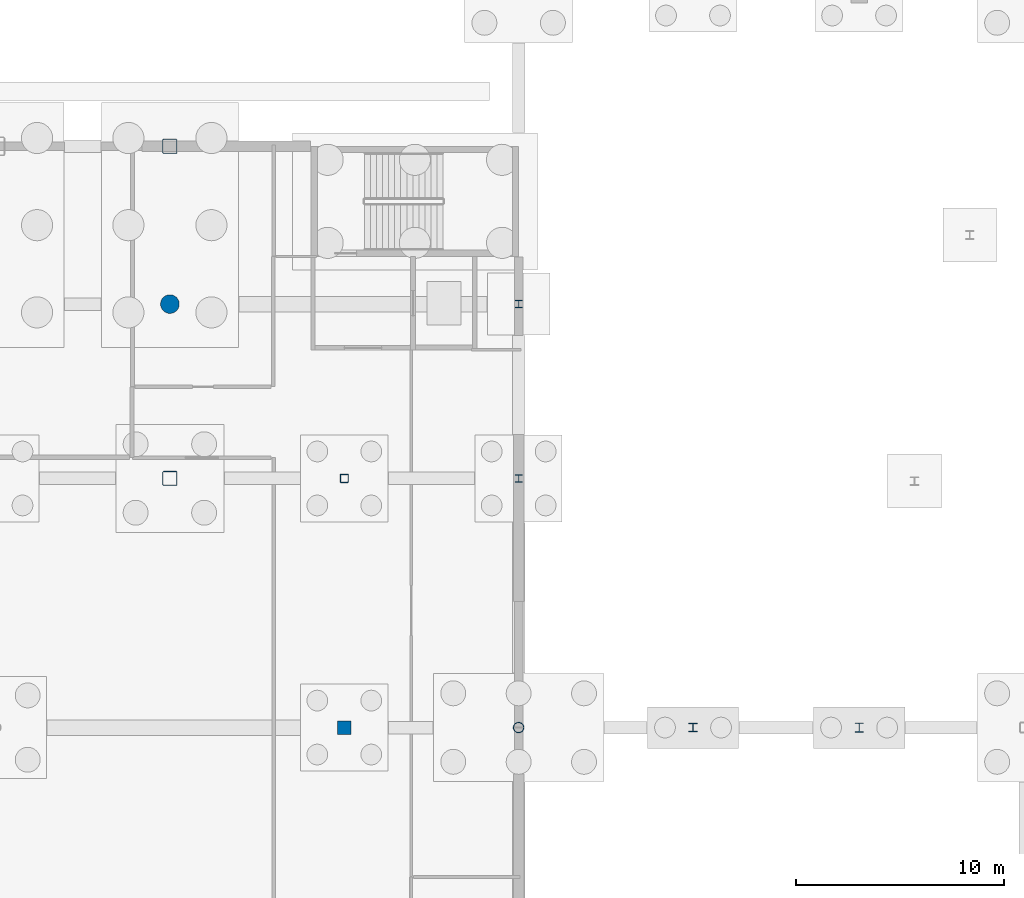
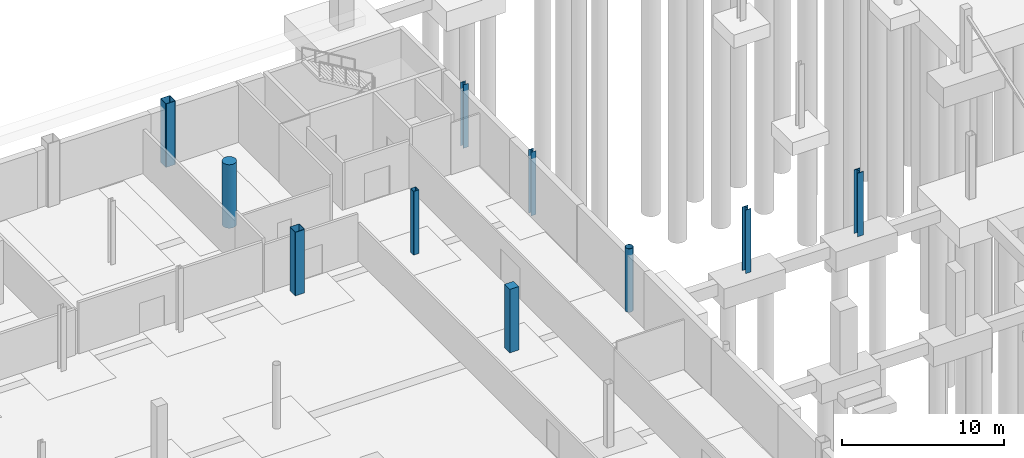
# One storey, part 14 of 34: 10 columns.
"""IFC4 building model written with IfcOpenShell, lengths in metres."""

import ifcopenshell
import ifcopenshell.guid

model = None  # the IFC model being written
_history = None  # IfcOwnerHistory: only IFC2X3 demands one
_inside = {}  # id of a spatial element -> (the spatial element, [elements in it])
_under = {}  # id of a project, library or spatial element -> (it, [spatial elements below it])
_declared = {}  # id of a project -> (the project, [libraries it declares])
_typed = {}  # id of a type object -> (the type object, [elements of that type])
_made_of = {}  # id of a material, layer set ... -> (it, [elements and type objects made of it])


def new_model(schema):
    """Start an empty IFC model of exactly this schema.

    Asked for "IFC4X3", IfcOpenShell would pick the latest addendum, in which some entities
    have other attributes; the version numbers below select the first issue.
    IFC2X3 requires an IfcOwnerHistory on every rooted entity: one is made here for all.
    """
    global model, _history
    if schema == "IFC4X3":
        model = ifcopenshell.file(schema_version=(4, 3, 0, 0))
    else:
        model = ifcopenshell.file(schema=schema)
    _inside.clear()
    _under.clear()
    _declared.clear()
    _typed.clear()
    _made_of.clear()
    _history = None
    if model.schema == "IFC2X3":
        org = make("IfcOrganization", Name="unknown")
        user = make(
            "IfcPersonAndOrganization",
            ThePerson=make("IfcPerson", FamilyName="unknown"),
            TheOrganization=org,
        )
        app = make(
            "IfcApplication",
            ApplicationDeveloper=org,
            Version="unknown",
            ApplicationFullName="unknown",
            ApplicationIdentifier="unknown",
        )
        _history = make(
            "IfcOwnerHistory",
            OwningUser=user,
            OwningApplication=app,
            ChangeAction="ADDED",
            CreationDate=0,
        )
    return model


def make(cls, **values):
    """One entity of the class cls with the attributes given. An attribute that is None is left unset."""
    return model.create_entity(
        cls, **{name: value for name, value in values.items() if value is not None}
    )


def rooted(cls, **values):
    """An entity with a GlobalId (a new one), such as an element, a storey or a relation."""
    return make(cls, GlobalId=ifcopenshell.guid.new(), OwnerHistory=_history, **values)


def si_unit(unit_type, name, prefix=None):
    """IfcSIUnit, for example si_unit("LENGTHUNIT", "METRE", prefix="MILLI")."""
    return make("IfcSIUnit", UnitType=unit_type, Prefix=prefix, Name=name)


def assignment(units):
    """IfcUnitAssignment: the units of a project."""
    return None if units is None else make("IfcUnitAssignment", Units=units)


def point(xyz):
    """IfcCartesianPoint."""
    return None if xyz is None else make("IfcCartesianPoint", Coordinates=xyz)


def direction(xyz):
    """IfcDirection."""
    return None if xyz is None else make("IfcDirection", DirectionRatios=xyz)


def frame(location, z_axis=None, x_axis=None):
    """IfcAxis2Placement3D, a coordinate frame: its origin and axes. An axis left out is left unset."""
    return make(
        "IfcAxis2Placement3D",
        Location=point(location),
        Axis=direction(z_axis),
        RefDirection=direction(x_axis),
    )


def frame_2d(location, x_axis=None):
    """IfcAxis2Placement2D, a coordinate frame in the plane: its origin and x axis."""
    return make(
        "IfcAxis2Placement2D", Location=point(location), RefDirection=direction(x_axis)
    )


def origin():
    """The frame at (0, 0, 0) with its axes left unset."""
    return frame((0.0, 0.0, 0.0))


def origin_2d():
    """The frame at (0, 0) in the plane with its x axis left unset."""
    return frame_2d((0.0, 0.0))


def place(relative_to, where):
    """IfcLocalPlacement: puts the frame where relative to a parent placement (None: the world)."""
    return make(
        "IfcLocalPlacement", PlacementRelTo=relative_to, RelativePlacement=where
    )


def context(
    kind, dimensions, precision=None, world=None, true_north=None, identifier=None
):
    """IfcGeometricRepresentationContext, for example the 3D "Model" context."""
    return make(
        "IfcGeometricRepresentationContext",
        ContextIdentifier=identifier,
        ContextType=kind,
        CoordinateSpaceDimension=dimensions,
        Precision=precision,
        WorldCoordinateSystem=world,
        TrueNorth=true_north,
    )


def subcontext(parent, identifier, kind, view, scale=None):
    """IfcGeometricRepresentationSubContext, for example "Body" below "Model"."""
    return make(
        "IfcGeometricRepresentationSubContext",
        ContextIdentifier=identifier,
        ContextType=kind,
        ParentContext=parent,
        TargetScale=scale,
        TargetView=view,
    )


def project(units=None, contexts=None):
    """IfcProject with its units and contexts."""
    return rooted(
        "IfcProject",
        Name="project",
        RepresentationContexts=contexts,
        UnitsInContext=assignment(units),
    )


def spatial(cls, under=None, at=None, **own):
    """A site, building, storey or space (cls), placed at a placement, below another one or the project."""
    s = rooted(cls, ObjectPlacement=at, **own)
    if under is not None:
        _under.setdefault(under.id(), (under, []))[1].append(s)
    return s


def profile(cls, at=None, kind="AREA", **sizes):
    """A parametric profile (cls). Its sizes go by their IFC names, for example OverallWidth=200.0."""
    return make(cls, ProfileType=kind, Position=at, **sizes)


def rectangle(**sizes):
    """IfcRectangleProfileDef."""
    return profile("IfcRectangleProfileDef", **sizes)


def hollow_rectangle(**sizes):
    """IfcRectangleHollowProfileDef."""
    return profile("IfcRectangleHollowProfileDef", **sizes)


def circle(**sizes):
    """IfcCircleProfileDef."""
    return profile("IfcCircleProfileDef", **sizes)


def hollow_circle(**sizes):
    """IfcCircleHollowProfileDef."""
    return profile("IfcCircleHollowProfileDef", **sizes)


def i_section(**sizes):
    """IfcIShapeProfileDef."""
    return profile("IfcIShapeProfileDef", **sizes)


def extrude(swept, where, along, depth):
    """IfcExtrudedAreaSolid: the profile swept, set in the frame where, extruded along a direction by depth."""
    return make(
        "IfcExtrudedAreaSolid",
        SweptArea=swept,
        Position=where,
        ExtrudedDirection=direction(along),
        Depth=depth,
    )


def shape(context_of_items, identifier, shape_type, items):
    """IfcShapeRepresentation: the items that make up one representation, for example the "Body"."""
    return make(
        "IfcShapeRepresentation",
        ContextOfItems=context_of_items,
        RepresentationIdentifier=identifier,
        RepresentationType=shape_type,
        Items=items,
    )


def material(Name=None, Category=None):
    """IfcMaterial."""
    return make("IfcMaterial", Name=Name, Category=Category)


def material_profile(
    of_material, cross_section, Name=None, Category=None, Priority=None
):
    """IfcMaterialProfile: a cross section and its material."""
    return make(
        "IfcMaterialProfile",
        Name=Name,
        Material=of_material,
        Profile=cross_section,
        Priority=Priority,
        Category=Category,
    )


def profile_set(profiles, Name=None, composite=None):
    """IfcMaterialProfileSet."""
    return make(
        "IfcMaterialProfileSet",
        Name=Name,
        MaterialProfiles=profiles,
        CompositeProfile=composite,
    )


def made_of(thing, what):
    """Note that an element or type object is made of a material, layer set ...; save() writes the relation."""
    if what is not None:
        _made_of.setdefault(what.id(), (what, []))[1].append(thing)
    return thing


def type_object(cls, material=None, **own):
    """A type object (cls), such as IfcWallType, which elements share."""
    return made_of(rooted(cls, **own), material)


def element(
    cls,
    number,
    at=None,
    inside=None,
    cuts=None,
    type_object=None,
    material=None,
    context=None,
    identifier="Body",
    shape_type=None,
    held_by="IfcProductDefinitionShape",
    body=None,
    shapes=None,
    **own,
):
    """One element of the class cls, such as IfcWall. Its Tag is "e" and its number.

    at: its placement. inside: the storey or other place that contains it. cuts: it is an
    opening in that element (IfcRelVoidsElement). A single representation is given by context,
    identifier, shape_type and body (its items); several are given by shapes. held_by: the class
    of the entity that holds the representations. save() writes the other relations.
    """
    e = rooted(cls, Tag="e%d" % number, ObjectPlacement=at, **own)
    if body is not None:
        shapes = [shape(context, identifier, shape_type, body)]
    if shapes is not None:
        e.Representation = make(held_by, Representations=shapes)
    if inside is not None:
        _inside.setdefault(inside.id(), (inside, []))[1].append(e)
    if cuts is not None:
        rooted(
            "IfcRelVoidsElement", RelatingBuildingElement=cuts, RelatedOpeningElement=e
        )
    if type_object is not None:
        _typed.setdefault(type_object.id(), (type_object, []))[1].append(e)
    return made_of(e, material)


def aggregate(whole, parts):
    """IfcRelAggregates: a whole, such as a stair, and the parts it consists of."""
    return rooted("IfcRelAggregates", RelatingObject=whole, RelatedObjects=parts)


def save(model, path):
    """Write the relations noted so far, then the file.

    IfcRelAggregates (storeys below a building ...), IfcRelContainedInSpatialStructure (elements
    in a storey), IfcRelDefinesByType, IfcRelAssociatesMaterial and IfcRelDeclares: one each for
    every whole, place, type object, material and project.
    """
    for whole, parts in _under.values():
        aggregate(whole, parts)
    for where, things in _inside.values():
        rooted(
            "IfcRelContainedInSpatialStructure",
            RelatedElements=things,
            RelatingStructure=where,
        )
    for kind, things in _typed.values():
        rooted("IfcRelDefinesByType", RelatedObjects=things, RelatingType=kind)
    for what, things in _made_of.values():
        rooted("IfcRelAssociatesMaterial", RelatedObjects=things, RelatingMaterial=what)
    for by, libraries in _declared.values():
        rooted("IfcRelDeclares", RelatingContext=by, RelatedDefinitions=libraries)
    model.write(path)


model = new_model("IFC4")

# Units and contexts
model_context = context("Model", 3, precision=1e-05, world=origin(), true_north=direction((0.0, 1.0)))
body_context = subcontext(model_context, "Body", "Model", "MODEL_VIEW")
ifc_project = project(units=[si_unit("LENGTHUNIT", "METRE"), si_unit("AREAUNIT", "SQUARE_METRE"), si_unit("VOLUMEUNIT", "CUBIC_METRE"), si_unit("PLANEANGLEUNIT", "RADIAN"), si_unit("MASSUNIT", "GRAM", prefix="KILO")], contexts=[model_context])

# Site, building, storey
site_placement = place(None, origin())
site = spatial("IfcSite", under=ifc_project, at=site_placement, CompositionType="ELEMENT")
building_placement = place(site_placement, origin())
building = spatial("IfcBuilding", under=site, at=building_placement, Name="Larkvane Passage Sports Hall", CompositionType="ELEMENT")
storey_placement = place(building_placement, frame((0.0, 0.0, -4.800048828125)))
storey = spatial("IfcBuildingStorey", under=building, at=storey_placement, Name="B01", CompositionType="ELEMENT", Elevation=-4.800048828125)

# Columns
ifc_material_1 = material(Name="Concrete C50/60", Category="concrete")
ifc_material_profile_1 = material_profile(ifc_material_1, circle(Radius=0.449951171875, at=origin_2d()), Name="RC-CIR-900")
ifc_profile_set_1 = profile_set([ifc_material_profile_1], Name="Concrete C50/60")
column_type_1 = type_object("IfcColumnType", Name="COL-CIR-900", PredefinedType="COLUMN", material=ifc_profile_set_1)
column_1_placement = place(storey_placement, frame((76.800048828125, 84.0, 0.0), z_axis=(0.0, 0.0, 1.0), x_axis=(1.0, 0.0, 0.0)))
element("IfcColumn", 1, at=column_1_placement, inside=storey, type_object=column_type_1, Name="Column 11/K B01", PredefinedType="COLUMN", context=body_context, shape_type="SweptSolid", body=[
    extrude(circle(Radius=0.449951171875, at=origin_2d()), origin(), (0.0, 0.0, 1.0), 4.800048828125),
])
ifc_material_2 = material(Name="Concrete C40/50", Category="concrete")
ifc_material_profile_2 = material_profile(ifc_material_2, rectangle(XDim=0.64990234375, YDim=0.64990234375, at=origin_2d()), Name="RC-COL-650x650")
ifc_profile_set_2 = profile_set([ifc_material_profile_2], Name="Concrete C40/50")
column_type_2 = type_object("IfcColumnType", Name="COL-RC-650", PredefinedType="COLUMN", material=ifc_profile_set_2)
column_2_placement = place(storey_placement, frame((85.199951171875, 63.60009765625, 0.0), z_axis=(0.0, 0.0, 1.0), x_axis=(1.0, 0.0, 0.0)))
element("IfcColumn", 2, at=column_2_placement, inside=storey, type_object=column_type_2, Name="Column 12/H B01", PredefinedType="COLUMN", context=body_context, shape_type="SweptSolid", body=[
    extrude(rectangle(XDim=0.64990234375, YDim=0.64990234375, at=origin_2d()), origin(), (0.0, 0.0, 1.0), 4.800048828125),
])
ifc_material_3 = material(Name="Steel S460N", Category="steel")
ifc_material_profile_3 = material_profile(ifc_material_3, hollow_rectangle(XDim=0.699951171875, YDim=0.699951171875, WallThickness=0.028076171875, InnerFilletRadius=0.028076171875, OuterFilletRadius=0.055908203125, at=origin_2d()), Name="BOX-700x700x28")
ifc_profile_set_3 = profile_set([ifc_material_profile_3], Name="Steel S460N")
column_type_3 = type_object("IfcColumnType", Name="COL-STL-BOX700", PredefinedType="COLUMN", material=ifc_profile_set_3)
for number, where, z_axis, x_axis, name in (
    (3, (76.800048828125, 75.60009765625, 0.0), (0.0, 0.0, 1.0), (1.0, 0.0, 0.0), "Column 11/J B01"),
    (4, (76.800048828125, 91.60009765625, 0.0), (0.0, 0.0, 1.0), (1.0, 0.0, 0.0), "Column 11/L B01"),
):
    element("IfcColumn", number, at=place(storey_placement, frame(where, z_axis=z_axis, x_axis=x_axis)), inside=storey, type_object=column_type_3, Name=name, PredefinedType="COLUMN", context=body_context, shape_type="SweptSolid", body=[
        extrude(hollow_rectangle(XDim=0.699951171875, YDim=0.699951171875, WallThickness=0.028076171875, InnerFilletRadius=0.028076171875, OuterFilletRadius=0.055908203125, at=origin_2d()), origin(), (0.0, 0.0, 1.0), 4.800048828125),
    ])
ifc_material_profile_4 = material_profile(ifc_material_3, hollow_circle(Radius=0.25390625, WallThickness=0.01904296875, at=origin_2d()), Name="CHS-508.0x19.0")
ifc_profile_set_4 = profile_set([ifc_material_profile_4], Name="Steel S460N")
column_type_4 = type_object("IfcColumnType", Name="COL-STL-CHS508", PredefinedType="COLUMN", material=ifc_profile_set_4)
column_3_placement = place(storey_placement, frame((93.60009765625, 63.60009765625, 0.0), z_axis=(0.0, 0.0, 1.0), x_axis=(1.0, 0.0, 0.0)))
element("IfcColumn", 5, at=column_3_placement, inside=storey, type_object=column_type_4, Name="Column 13/H B01", PredefinedType="COLUMN", context=body_context, shape_type="SweptSolid", body=[
    extrude(hollow_circle(Radius=0.25390625, WallThickness=0.01904296875, at=origin_2d()), origin(), (0.0, 0.0, 1.0), 4.800048828125),
])
ifc_material_4 = material(Name="Steel S355JR", Category="steel")
ifc_material_profile_5 = material_profile(ifc_material_4, i_section(OverallWidth=0.35009765625, OverallDepth=0.35009765625, WebThickness=0.011962890625, FlangeThickness=0.01904296875, FilletRadius=0.012939453125, at=origin_2d()), Name="H-350x350x12x19")
ifc_profile_set_5 = profile_set([ifc_material_profile_5], Name="Steel S355JR")
column_type_5 = type_object("IfcColumnType", Name="COL-STL-H350", PredefinedType="COLUMN", material=ifc_profile_set_5)
for number, where, z_axis, x_axis, name in (
    (6, (93.60009765625, 75.60009765625, 0.0), (0.0, 0.0, 1.0), (1.0, 0.0, 0.0), "Column 13/J B01"),
    (7, (93.60009765625, 84.0, 0.0), (0.0, 0.0, 1.0), (1.0, 0.0, 0.0), "Column 13/K B01"),
):
    element("IfcColumn", number, at=place(storey_placement, frame(where, z_axis=z_axis, x_axis=x_axis)), inside=storey, type_object=column_type_5, Name=name, PredefinedType="COLUMN", context=body_context, shape_type="SweptSolid", body=[
        extrude(i_section(OverallWidth=0.35009765625, OverallDepth=0.35009765625, WebThickness=0.011962890625, FlangeThickness=0.01904296875, FilletRadius=0.012939453125, at=origin_2d()), origin(), (0.0, 0.0, 1.0), 4.800048828125),
    ])
ifc_material_profile_6 = material_profile(ifc_material_3, i_section(OverallWidth=0.405029296875, OverallDepth=0.4140625, WebThickness=0.01806640625, FlangeThickness=0.028076171875, FilletRadius=0.02197265625, at=origin_2d()), Name="H-414x405x18x28")
ifc_profile_set_6 = profile_set([ifc_material_profile_6], Name="Steel S460N")
column_type_6 = type_object("IfcColumnType", Name="COL-STL-H414", PredefinedType="COLUMN", material=ifc_profile_set_6)
column_4_placement = place(storey_placement, frame((102.0, 63.60009765625, 0.0), z_axis=(0.0, 0.0, 1.0), x_axis=(1.0, 0.0, 0.0)))
element("IfcColumn", 8, at=column_4_placement, inside=storey, type_object=column_type_6, Name="Column 14/H B01", PredefinedType="COLUMN", context=body_context, shape_type="SweptSolid", body=[
    extrude(i_section(OverallWidth=0.405029296875, OverallDepth=0.4140625, WebThickness=0.01806640625, FlangeThickness=0.028076171875, FilletRadius=0.02197265625, at=origin_2d()), origin(), (0.0, 0.0, 1.0), 4.800048828125),
])
ifc_material_profile_7 = material_profile(ifc_material_3, i_section(OverallWidth=0.4169921875, OverallDepth=0.4580078125, WebThickness=0.030029296875, FlangeThickness=0.0400390625, FilletRadius=0.02197265625, at=origin_2d()), Name="H-458x417x30x40")
ifc_profile_set_7 = profile_set([ifc_material_profile_7], Name="Steel S460N")
column_type_7 = type_object("IfcColumnType", Name="COL-STL-H458", PredefinedType="COLUMN", material=ifc_profile_set_7)
column_5_placement = place(storey_placement, frame((110.0, 63.60009765625, 0.0), z_axis=(0.0, 0.0, 1.0), x_axis=(1.0, 0.0, 0.0)))
element("IfcColumn", 9, at=column_5_placement, inside=storey, type_object=column_type_7, Name="Column 15/H B01", PredefinedType="COLUMN", context=body_context, shape_type="SweptSolid", body=[
    extrude(i_section(OverallWidth=0.4169921875, OverallDepth=0.4580078125, WebThickness=0.030029296875, FlangeThickness=0.0400390625, FilletRadius=0.02197265625, at=origin_2d()), origin(), (0.0, 0.0, 1.0), 4.800048828125),
])
ifc_material_profile_8 = material_profile(ifc_material_3, hollow_rectangle(XDim=0.39990234375, YDim=0.39990234375, WallThickness=0.01904296875, InnerFilletRadius=0.01904296875, OuterFilletRadius=0.0380859375, at=origin_2d()), Name="SHS-400x400x19")
ifc_profile_set_8 = profile_set([ifc_material_profile_8], Name="Steel S460N")
column_type_8 = type_object("IfcColumnType", Name="COL-STL-SHS400", PredefinedType="COLUMN", material=ifc_profile_set_8)
column_6_placement = place(storey_placement, frame((85.199951171875, 75.60009765625, 0.0), z_axis=(0.0, 0.0, 1.0), x_axis=(1.0, 0.0, 0.0)))
element("IfcColumn", 10, at=column_6_placement, inside=storey, type_object=column_type_8, Name="Column 12/J B01", PredefinedType="COLUMN", context=body_context, shape_type="SweptSolid", body=[
    extrude(hollow_rectangle(XDim=0.39990234375, YDim=0.39990234375, WallThickness=0.01904296875, InnerFilletRadius=0.01904296875, OuterFilletRadius=0.0380859375, at=origin_2d()), origin(), (0.0, 0.0, 1.0), 4.800048828125),
])

save(model, "model.ifc")
